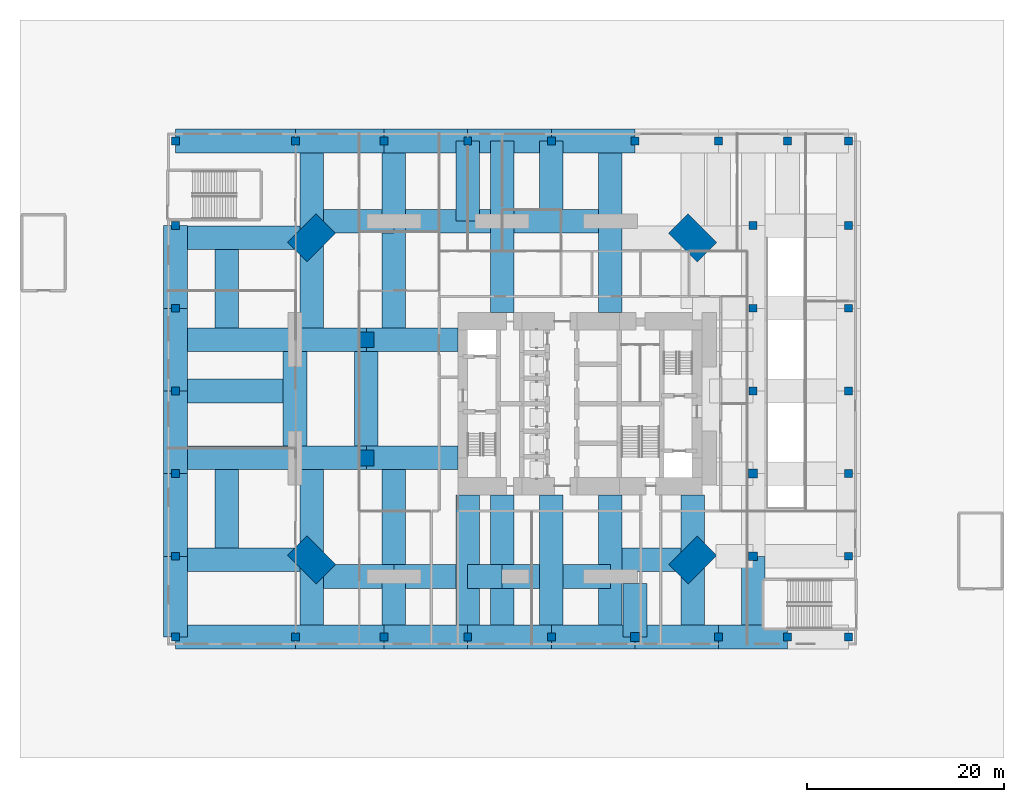
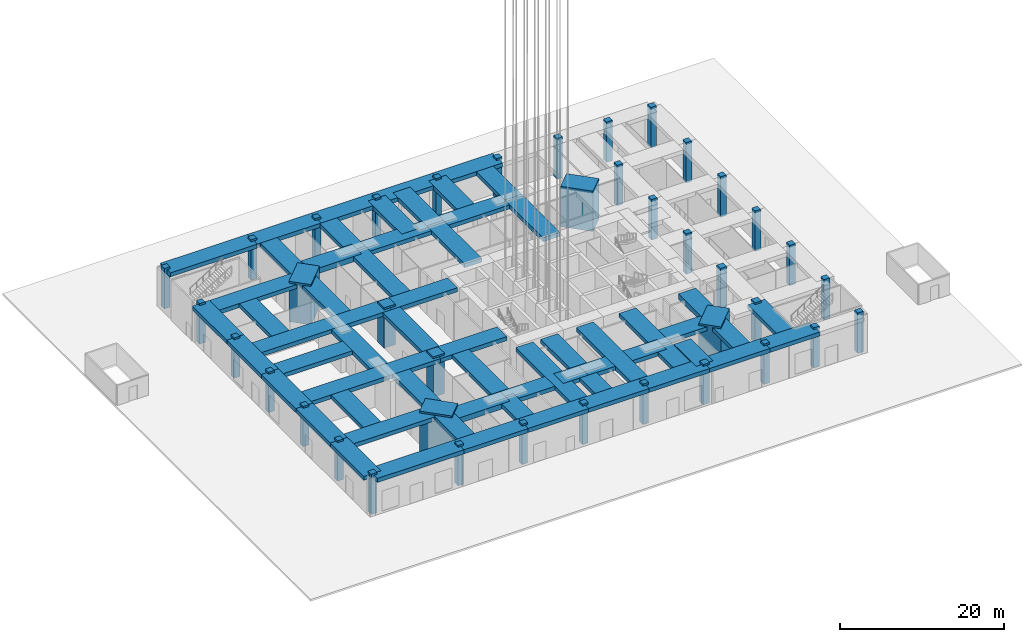
# One storey, part 1 of 17: 63 beams, 39 columns.
"""IFC4 building model written with IfcOpenShell, lengths in metres."""

from ifc_helpers import new_model, si_unit, direction, frame, origin, origin_2d, place, context, subcontext, project, spatial, rectangle, extrude, material, material_profile, profile_set, type_object, element, save


model = new_model("IFC4")

# Units and contexts
model_context = context("Model", 3, precision=1e-05, world=origin(), true_north=direction((0.0, 1.0)))
body_context = subcontext(model_context, "Body", "Model", "MODEL_VIEW")
ifc_project = project(units=[si_unit("LENGTHUNIT", "METRE"), si_unit("AREAUNIT", "SQUARE_METRE"), si_unit("VOLUMEUNIT", "CUBIC_METRE"), si_unit("PLANEANGLEUNIT", "RADIAN"), si_unit("MASSUNIT", "GRAM", prefix="KILO")], contexts=[model_context])

# Site, building, storey
site_placement = place(None, origin())
site = spatial("IfcSite", under=ifc_project, at=site_placement, CompositionType="ELEMENT")
building_placement = place(site_placement, origin())
building = spatial("IfcBuilding", under=site, at=building_placement, Name="Jalousie Tower", CompositionType="ELEMENT")
storey_placement = place(building_placement, origin())
storey = spatial("IfcBuildingStorey", under=building, at=storey_placement, Name="L00", CompositionType="ELEMENT", Elevation=0.0)

# Columns
ifc_material_1 = material(Name="Concrete f'c 120 MPa", Category="concrete")
ifc_material_profile_1 = material_profile(ifc_material_1, rectangle(XDim=1.60009765625, YDim=1.60009765625, at=origin_2d()), Name="RC 1600x1600")
ifc_profile_set_1 = profile_set([ifc_material_profile_1], Name="Concrete f'c 120 MPa")
column_type_1 = type_object("IfcColumnType", Name="RC COLUMN 1600x1600", PredefinedType="COLUMN", material=ifc_profile_set_1)
for number, where, z_axis, x_axis, name in (
    (1, (10.199951171875, 13.0, 0.0), (0.0, 0.0, 1.0), (1.0, 0.0, 0.0), "Interior column IA1 L00"),
    (2, (10.199951171875, 25.0, 0.0), (0.0, 0.0, 1.0), (1.0, 0.0, 0.0), "Interior column IA2 L00"),
):
    element("IfcColumn", number, at=place(storey_placement, frame(where, z_axis=z_axis, x_axis=x_axis)), inside=storey, type_object=column_type_1, Name=name, PredefinedType="COLUMN", context=body_context, shape_type="SweptSolid", body=[
        extrude(rectangle(XDim=1.60009765625, YDim=1.60009765625, at=origin_2d()), origin(), (0.0, 0.0, 1.0), 6.0),
    ])
ifc_material_2 = material(Name="Concrete f'c 120 MPa", Category="concrete")
ifc_material_profile_2 = material_profile(ifc_material_2, rectangle(XDim=0.800048828125, YDim=0.800048828125, at=origin_2d()), Name="RC 800x800")
ifc_profile_set_2 = profile_set([ifc_material_profile_2], Name="Concrete f'c 120 MPa")
column_type_2 = type_object("IfcColumnType", Name="RC COLUMN 800x800", PredefinedType="COLUMN", material=ifc_profile_set_2)
for number, where, z_axis, x_axis, name in (
    (3, (-9.199951171875, -5.199951171875, 0.0), (0.0, 0.0, 1.0), (1.0, 0.0, 0.0), "Podium column P01 L00"),
    (4, (3.0, -5.199951171875, 0.0), (0.0, 0.0, 1.0), (1.0, 0.0, 0.0), "Podium column P02 L00"),
    (5, (12.0, -5.199951171875, 0.0), (0.0, 0.0, 1.0), (1.0, 0.0, 0.0), "Podium column P03 L00"),
    (6, (20.5, -5.199951171875, 0.0), (0.0, 0.0, 1.0), (1.0, 0.0, 0.0), "Podium column P04 L00"),
    (7, (29.0, -5.199951171875, 0.0), (0.0, 0.0, 1.0), (1.0, 0.0, 0.0), "Podium column P05 L00"),
    (8, (46.0, -5.199951171875, 0.0), (0.0, 0.0, 1.0), (1.0, 0.0, 0.0), "Podium column P07 L00"),
    (9, (53.0, -5.199951171875, 0.0), (0.0, 0.0, 1.0), (1.0, 0.0, 0.0), "Podium column P08 L00"),
    (10, (59.199951171875, -5.199951171875, 0.0), (0.0, 0.0, 1.0), (1.0, 0.0, 0.0), "Podium column P09 L00"),
    (11, (-9.199951171875, 3.0, 0.0), (0.0, 0.0, 1.0), (1.0, 0.0, 0.0), "Podium column P10 L00"),
    (12, (59.199951171875, 3.0, 0.0), (0.0, 0.0, 1.0), (1.0, 0.0, 0.0), "Podium column P12 L00"),
    (13, (-9.199951171875, 11.39990234375, 0.0), (0.0, 0.0, 1.0), (1.0, 0.0, 0.0), "Podium column P13 L00"),
    (14, (59.199951171875, 11.39990234375, 0.0), (0.0, 0.0, 1.0), (1.0, 0.0, 0.0), "Podium column P15 L00"),
    (15, (-9.199951171875, 19.800048828125, 0.0), (0.0, 0.0, 1.0), (1.0, 0.0, 0.0), "Podium column P16 L00"),
    (16, (49.5, 19.800048828125, 0.0), (0.0, 0.0, 1.0), (1.0, 0.0, 0.0), "Podium column P17 L00"),
    (17, (59.199951171875, 19.800048828125, 0.0), (0.0, 0.0, 1.0), (1.0, 0.0, 0.0), "Podium column P18 L00"),
    (18, (-9.199951171875, 28.199951171875, 0.0), (0.0, 0.0, 1.0), (1.0, 0.0, 0.0), "Podium column P19 L00"),
    (19, (49.5, 28.199951171875, 0.0), (0.0, 0.0, 1.0), (1.0, 0.0, 0.0), "Podium column P20 L00"),
    (20, (59.199951171875, 28.199951171875, 0.0), (0.0, 0.0, 1.0), (1.0, 0.0, 0.0), "Podium column P21 L00"),
    (21, (-9.199951171875, 36.60009765625, 0.0), (0.0, 0.0, 1.0), (1.0, 0.0, 0.0), "Podium column P22 L00"),
    (22, (49.5, 36.60009765625, 0.0), (0.0, 0.0, 1.0), (1.0, 0.0, 0.0), "Podium column P23 L00"),
    (23, (59.199951171875, 36.60009765625, 0.0), (0.0, 0.0, 1.0), (1.0, 0.0, 0.0), "Podium column P24 L00"),
    (24, (-9.199951171875, 45.199951171875, 0.0), (0.0, 0.0, 1.0), (1.0, 0.0, 0.0), "Podium column P25 L00"),
    (25, (3.0, 45.199951171875, 0.0), (0.0, 0.0, 1.0), (1.0, 0.0, 0.0), "Podium column P26 L00"),
    (26, (12.0, 45.199951171875, 0.0), (0.0, 0.0, 1.0), (1.0, 0.0, 0.0), "Podium column P27 L00"),
    (27, (20.5, 45.199951171875, 0.0), (0.0, 0.0, 1.0), (1.0, 0.0, 0.0), "Podium column P28 L00"),
    (28, (29.0, 45.199951171875, 0.0), (0.0, 0.0, 1.0), (1.0, 0.0, 0.0), "Podium column P29 L00"),
    (29, (37.5, 45.199951171875, 0.0), (0.0, 0.0, 1.0), (1.0, 0.0, 0.0), "Podium column P30 L00"),
    (30, (46.0, 45.199951171875, 0.0), (0.0, 0.0, 1.0), (1.0, 0.0, 0.0), "Podium column P31 L00"),
    (31, (53.0, 45.199951171875, 0.0), (0.0, 0.0, 1.0), (1.0, 0.0, 0.0), "Podium column P32 L00"),
    (32, (59.199951171875, 45.199951171875, 0.0), (0.0, 0.0, 1.0), (1.0, 0.0, 0.0), "Podium column P33 L00"),
):
    element("IfcColumn", number, at=place(storey_placement, frame(where, z_axis=z_axis, x_axis=x_axis)), inside=storey, type_object=column_type_2, Name=name, PredefinedType="COLUMN", context=body_context, shape_type="SweptSolid", body=[
        extrude(rectangle(XDim=0.800048828125, YDim=0.800048828125, at=origin_2d()), origin(), (0.0, 0.0, 1.0), 6.0),
    ])
ifc_material_3 = material(Name="Concrete f'c 120 MPa", Category="concrete")
ifc_material_profile_3 = material_profile(ifc_material_3, rectangle(XDim=0.89990234375, YDim=0.89990234375, at=origin_2d()), Name="RC 900x900")
ifc_profile_set_3 = profile_set([ifc_material_profile_3], Name="Concrete f'c 120 MPa")
column_type_3 = type_object("IfcColumnType", Name="RC COLUMN 900x900", PredefinedType="COLUMN", material=ifc_profile_set_3)
for number, where, z_axis, x_axis, name in (
    (33, (37.5, -5.199951171875, 0.0), (0.0, 0.0, 1.0), (1.0, 0.0, 0.0), "Podium column P06 L00"),
    (34, (49.5, 3.0, 0.0), (0.0, 0.0, 1.0), (1.0, 0.0, 0.0), "Podium column P11 L00"),
    (35, (49.5, 11.39990234375, 0.0), (0.0, 0.0, 1.0), (1.0, 0.0, 0.0), "Podium column P14 L00"),
):
    element("IfcColumn", number, at=place(storey_placement, frame(where, z_axis=z_axis, x_axis=x_axis)), inside=storey, type_object=column_type_3, Name=name, PredefinedType="COLUMN", context=body_context, shape_type="SweptSolid", body=[
        extrude(rectangle(XDim=0.89990234375, YDim=0.89990234375, at=origin_2d()), origin(), (0.0, 0.0, 1.0), 6.0),
    ])
ifc_material_4 = material(Name="Concrete f'c 120 MPa", Category="concrete")
ifc_material_profile_4 = material_profile(ifc_material_4, rectangle(XDim=2.800048828125, YDim=4.10009765625, at=origin_2d()), Name="RC 2800x4100")
ifc_profile_set_4 = profile_set([ifc_material_profile_4], Name="Concrete f'c 120 MPa")
column_type_4 = type_object("IfcColumnType", Name="RC CORNER COLUMN 2800x4100", PredefinedType="COLUMN", material=ifc_profile_set_4)
for number, where, z_axis, x_axis, name in (
    (36, (4.63134765625, 2.63134765625, 0.0), (0.0, 0.0, 1.0), (0.707106781187, 0.707106781187, 0.0), "Corner column 01 L00"),
    (37, (43.36865234375, 2.63134765625, 0.0), (0.0, 0.0, 1.0), (-0.707106781187, 0.707106781187, 0.0), "Corner column 05 L00"),
    (38, (43.36865234375, 35.36865234375, 0.0), (0.0, 0.0, 1.0), (-0.707106781187, -0.707106781187, 0.0), "Corner column 08 L00"),
    (39, (4.63134765625, 35.36865234375, 0.0), (0.0, 0.0, 1.0), (0.707106781187, -0.707106781187, 0.0), "Corner column 12 L00"),
):
    element("IfcColumn", number, at=place(storey_placement, frame(where, z_axis=z_axis, x_axis=x_axis)), inside=storey, type_object=column_type_4, Name=name, PredefinedType="COLUMN", context=body_context, shape_type="SweptSolid", body=[
        extrude(rectangle(XDim=2.800048828125, YDim=4.10009765625, at=origin_2d()), origin(), (0.0, 0.0, 1.0), 6.0),
    ])

# Beams
ifc_material_5 = material(Name="Concrete f'c 40 MPa", Category="concrete")
ifc_material_profile_5 = material_profile(ifc_material_5, rectangle(XDim=2.39990234375, YDim=0.60009765625, at=origin_2d()), Name="RC 2400x600")
ifc_profile_set_5 = profile_set([ifc_material_profile_5], Name="Concrete f'c 40 MPa")
beam_type_1 = type_object("IfcBeamType", Name="RC BEAM 2400x600", PredefinedType="BEAM", material=ifc_profile_set_5)
beam_1_placement = place(storey_placement, frame((13.0, 0.949951171875, 5.419921875), z_axis=(1.0, 0.0, 0.0), x_axis=(0.0, 1.0, 0.0)))
element("IfcBeam", 40, at=beam_1_placement, inside=storey, type_object=beam_type_1, Name="Floor band beam under L01", PredefinedType="BEAM", context=body_context, shape_type="SweptSolid", body=[
    extrude(rectangle(XDim=2.39990234375, YDim=0.60009765625, at=origin_2d()), origin(), (0.0, 0.0, 1.0), 6.300048828125),
])
beam_2_placement = place(storey_placement, frame((20.5, 0.949951171875, 5.419921875), z_axis=(1.0, 0.0, 0.0), x_axis=(0.0, 1.0, 0.0)))
element("IfcBeam", 41, at=beam_2_placement, inside=storey, type_object=beam_type_1, Name="Floor band beam under L01", PredefinedType="BEAM", context=body_context, shape_type="SweptSolid", body=[
    extrude(rectangle(XDim=2.39990234375, YDim=0.60009765625, at=origin_2d()), origin(), (0.0, 0.0, 1.0), 3.5),
])
beam_3_placement = place(storey_placement, frame((24.0, 0.949951171875, 5.419921875), z_axis=(1.0, 0.0, 0.0), x_axis=(0.0, 1.0, 0.0)))
element("IfcBeam", 42, at=beam_3_placement, inside=storey, type_object=beam_type_1, Name="Floor band beam under L01", PredefinedType="BEAM", context=body_context, shape_type="SweptSolid", body=[
    extrude(rectangle(XDim=2.39990234375, YDim=0.60009765625, at=origin_2d()), origin(), (0.0, 0.0, 1.0), 3.800048828125),
])
beam_4_placement = place(storey_placement, frame((30.199951171875, 0.949951171875, 5.419921875), z_axis=(1.0, 0.0, 0.0), x_axis=(0.0, 1.0, 0.0)))
element("IfcBeam", 43, at=beam_4_placement, inside=storey, type_object=beam_type_1, Name="Floor band beam under L01", PredefinedType="BEAM", context=body_context, shape_type="SweptSolid", body=[
    extrude(rectangle(XDim=2.39990234375, YDim=0.60009765625, at=origin_2d()), origin(), (0.0, 0.0, 1.0), 4.800048828125),
])
for number, where, z_axis, x_axis, name in (
    (44, (35.0, 37.050048828125, 5.419921875), (-1.0, 0.0, 0.0), (0.0, -1.0, 0.0), "Floor band beam under L01"),
    (45, (24.0, 37.050048828125, 5.419921875), (-1.0, 0.0, 0.0), (0.0, -1.0, 0.0), "Floor band beam under L01"),
):
    element("IfcBeam", number, at=place(storey_placement, frame(where, z_axis=z_axis, x_axis=x_axis)), inside=storey, type_object=beam_type_1, Name=name, PredefinedType="BEAM", context=body_context, shape_type="SweptSolid", body=[
        extrude(rectangle(XDim=2.39990234375, YDim=0.60009765625, at=origin_2d()), origin(), (0.0, 0.0, 1.0), 11.0),
    ])
beam_5_placement = place(storey_placement, frame((2.949951171875, 25.0, 5.419921875), z_axis=(0.0, -1.0, 0.0), x_axis=(1.0, 0.0, 0.0)))
element("IfcBeam", 46, at=beam_5_placement, inside=storey, type_object=beam_type_1, Name="Floor band beam under L01", PredefinedType="BEAM", context=body_context, shape_type="SweptSolid", body=[
    extrude(rectangle(XDim=2.39990234375, YDim=0.60009765625, at=origin_2d()), origin(), (0.0, 0.0, 1.0), 12.0),
])
beam_6_placement = place(storey_placement, frame((-9.199951171875, -5.199951171875, 5.419921875), z_axis=(1.0, 0.0, 0.0), x_axis=(0.0, 1.0, 0.0)))
element("IfcBeam", 47, at=beam_6_placement, inside=storey, type_object=beam_type_1, Name="Floor band beam under L01", PredefinedType="BEAM", context=body_context, shape_type="SweptSolid", body=[
    extrude(rectangle(XDim=2.39990234375, YDim=0.60009765625, at=origin_2d()), origin(), (0.0, 0.0, 1.0), 12.199951171875),
])
beam_7_placement = place(storey_placement, frame((-9.199951171875, -5.199951171875, 5.419921875), z_axis=(0.0, 1.0, 0.0), x_axis=(-1.0, 0.0, 0.0)))
element("IfcBeam", 48, at=beam_7_placement, inside=storey, type_object=beam_type_1, Name="Floor band beam under L01", PredefinedType="BEAM", context=body_context, shape_type="SweptSolid", body=[
    extrude(rectangle(XDim=2.39990234375, YDim=0.60009765625, at=origin_2d()), origin(), (0.0, 0.0, 1.0), 8.199951171875),
])
beam_8_placement = place(storey_placement, frame((-9.199951171875, 3.0, 5.419921875), z_axis=(0.0, 1.0, 0.0), x_axis=(-1.0, 0.0, 0.0)))
element("IfcBeam", 49, at=beam_8_placement, inside=storey, type_object=beam_type_1, Name="Floor band beam under L01", PredefinedType="BEAM", context=body_context, shape_type="SweptSolid", body=[
    extrude(rectangle(XDim=2.39990234375, YDim=0.60009765625, at=origin_2d()), origin(), (0.0, 0.0, 1.0), 8.39990234375),
])
beam_9_placement = place(storey_placement, frame((-9.199951171875, 11.39990234375, 5.419921875), z_axis=(0.0, 1.0, 0.0), x_axis=(-1.0, 0.0, 0.0)))
element("IfcBeam", 50, at=beam_9_placement, inside=storey, type_object=beam_type_1, Name="Floor band beam under L01", PredefinedType="BEAM", context=body_context, shape_type="SweptSolid", body=[
    extrude(rectangle(XDim=2.39990234375, YDim=0.60009765625, at=origin_2d()), origin(), (0.0, 0.0, 1.0), 8.400146484375),
])
beam_10_placement = place(storey_placement, frame((-9.199951171875, 19.800048828125, 5.419921875), z_axis=(0.0, 1.0, 0.0), x_axis=(-1.0, 0.0, 0.0)))
element("IfcBeam", 51, at=beam_10_placement, inside=storey, type_object=beam_type_1, Name="Floor band beam under L01", PredefinedType="BEAM", context=body_context, shape_type="SweptSolid", body=[
    extrude(rectangle(XDim=2.39990234375, YDim=0.60009765625, at=origin_2d()), origin(), (0.0, 0.0, 1.0), 8.39990234375),
])
beam_11_placement = place(storey_placement, frame((-9.199951171875, 28.199951171875, 5.419921875), z_axis=(0.0, 1.0, 0.0), x_axis=(-1.0, 0.0, 0.0)))
element("IfcBeam", 52, at=beam_11_placement, inside=storey, type_object=beam_type_1, Name="Floor band beam under L01", PredefinedType="BEAM", context=body_context, shape_type="SweptSolid", body=[
    extrude(rectangle(XDim=2.39990234375, YDim=0.60009765625, at=origin_2d()), origin(), (0.0, 0.0, 1.0), 8.400146484375),
])
beam_12_placement = place(storey_placement, frame((-9.199951171875, 45.199951171875, 5.419921875), z_axis=(1.0, 0.0, 0.0), x_axis=(0.0, 1.0, 0.0)))
element("IfcBeam", 53, at=beam_12_placement, inside=storey, type_object=beam_type_1, Name="Floor band beam under L01", PredefinedType="BEAM", context=body_context, shape_type="SweptSolid", body=[
    extrude(rectangle(XDim=2.39990234375, YDim=0.60009765625, at=origin_2d()), origin(), (0.0, 0.0, 1.0), 12.199951171875),
])
for number, where, z_axis, x_axis, name in (
    (54, (2.949951171875, 13.0, 5.419921875), (1.0, 0.0, 0.0), (0.0, 1.0, 0.0), "Floor band beam under L01"),
    (55, (2.949951171875, 25.0, 5.419921875), (1.0, 0.0, 0.0), (0.0, 1.0, 0.0), "Floor band beam under L01"),
):
    element("IfcBeam", number, at=place(storey_placement, frame(where, z_axis=z_axis, x_axis=x_axis)), inside=storey, type_object=beam_type_1, Name=name, PredefinedType="BEAM", context=body_context, shape_type="SweptSolid", body=[
        extrude(rectangle(XDim=2.39990234375, YDim=0.60009765625, at=origin_2d()), origin(), (0.0, 0.0, 1.0), 7.25),
    ])
for number, where, z_axis, x_axis, name in (
    (56, (3.0, -5.199951171875, 5.419921875), (1.0, 0.0, 0.0), (0.0, 1.0, 0.0), "Floor band beam under L01"),
    (57, (3.0, 45.199951171875, 5.419921875), (1.0, 0.0, 0.0), (0.0, 1.0, 0.0), "Floor band beam under L01"),
):
    element("IfcBeam", number, at=place(storey_placement, frame(where, z_axis=z_axis, x_axis=x_axis)), inside=storey, type_object=beam_type_1, Name=name, PredefinedType="BEAM", context=body_context, shape_type="SweptSolid", body=[
        extrude(rectangle(XDim=2.39990234375, YDim=0.60009765625, at=origin_2d()), origin(), (0.0, 0.0, 1.0), 9.0),
    ])
beam_13_placement = place(storey_placement, frame((10.199951171875, 13.0, 5.419921875), z_axis=(1.0, 0.0, 0.0), x_axis=(0.0, 1.0, 0.0)))
element("IfcBeam", 58, at=beam_13_placement, inside=storey, type_object=beam_type_1, Name="Floor band beam under L01", PredefinedType="BEAM", context=body_context, shape_type="SweptSolid", body=[
    extrude(rectangle(XDim=2.39990234375, YDim=0.60009765625, at=origin_2d()), origin(), (0.0, 0.0, 1.0), 9.300048828125),
])
beam_14_placement = place(storey_placement, frame((10.199951171875, 13.0, 5.419921875), z_axis=(0.0, 1.0, 0.0), x_axis=(-1.0, 0.0, 0.0)))
element("IfcBeam", 59, at=beam_14_placement, inside=storey, type_object=beam_type_1, Name="Floor band beam under L01", PredefinedType="BEAM", context=body_context, shape_type="SweptSolid", body=[
    extrude(rectangle(XDim=2.39990234375, YDim=0.60009765625, at=origin_2d()), origin(), (0.0, 0.0, 1.0), 12.0),
])
beam_15_placement = place(storey_placement, frame((10.199951171875, 25.0, 5.419921875), z_axis=(1.0, 0.0, 0.0), x_axis=(0.0, 1.0, 0.0)))
element("IfcBeam", 60, at=beam_15_placement, inside=storey, type_object=beam_type_1, Name="Floor band beam under L01", PredefinedType="BEAM", context=body_context, shape_type="SweptSolid", body=[
    extrude(rectangle(XDim=2.39990234375, YDim=0.60009765625, at=origin_2d()), origin(), (0.0, 0.0, 1.0), 9.300048828125),
])
for number, where, z_axis, x_axis, name in (
    (61, (12.0, -5.199951171875, 5.419921875), (1.0, 0.0, 0.0), (0.0, 1.0, 0.0), "Floor band beam under L01"),
    (62, (12.0, 45.199951171875, 5.419921875), (1.0, 0.0, 0.0), (0.0, 1.0, 0.0), "Floor band beam under L01"),
    (63, (20.5, -5.199951171875, 5.419921875), (1.0, 0.0, 0.0), (0.0, 1.0, 0.0), "Floor band beam under L01"),
):
    element("IfcBeam", number, at=place(storey_placement, frame(where, z_axis=z_axis, x_axis=x_axis)), inside=storey, type_object=beam_type_1, Name=name, PredefinedType="BEAM", context=body_context, shape_type="SweptSolid", body=[
        extrude(rectangle(XDim=2.39990234375, YDim=0.60009765625, at=origin_2d()), origin(), (0.0, 0.0, 1.0), 8.5),
    ])
beam_16_placement = place(storey_placement, frame((20.5, -5.199951171875, 5.419921875), z_axis=(0.0, 1.0, 0.0), x_axis=(-1.0, 0.0, 0.0)))
element("IfcBeam", 64, at=beam_16_placement, inside=storey, type_object=beam_type_1, Name="Floor band beam under L01", PredefinedType="BEAM", context=body_context, shape_type="SweptSolid", body=[
    extrude(rectangle(XDim=2.39990234375, YDim=0.60009765625, at=origin_2d()), origin(), (0.0, 0.0, 1.0), 14.449951171875),
])
beam_17_placement = place(storey_placement, frame((20.5, 45.199951171875, 5.419921875), z_axis=(1.0, 0.0, 0.0), x_axis=(0.0, 1.0, 0.0)))
element("IfcBeam", 65, at=beam_17_placement, inside=storey, type_object=beam_type_1, Name="Floor band beam under L01", PredefinedType="BEAM", context=body_context, shape_type="SweptSolid", body=[
    extrude(rectangle(XDim=2.39990234375, YDim=0.60009765625, at=origin_2d()), origin(), (0.0, 0.0, 1.0), 8.5),
])
beam_18_placement = place(storey_placement, frame((24.0, 0.949951171875, 5.419921875), z_axis=(0.0, 1.0, 0.0), x_axis=(-1.0, 0.0, 0.0)))
element("IfcBeam", 66, at=beam_18_placement, inside=storey, type_object=beam_type_1, Name="Floor band beam under L01", PredefinedType="BEAM", context=body_context, shape_type="SweptSolid", body=[
    extrude(rectangle(XDim=2.39990234375, YDim=0.60009765625, at=origin_2d()), origin(), (0.0, 0.0, 1.0), 8.300048828125),
])
beam_19_placement = place(storey_placement, frame((24.0, 37.050048828125, 5.419921875), z_axis=(0.0, -1.0, 0.0), x_axis=(1.0, 0.0, 0.0)))
element("IfcBeam", 67, at=beam_19_placement, inside=storey, type_object=beam_type_1, Name="Floor band beam under L01", PredefinedType="BEAM", context=body_context, shape_type="SweptSolid", body=[
    extrude(rectangle(XDim=2.39990234375, YDim=0.60009765625, at=origin_2d()), origin(), (0.0, 0.0, 1.0), 9.300048828125),
])
beam_20_placement = place(storey_placement, frame((29.0, -5.199951171875, 5.419921875), z_axis=(1.0, 0.0, 0.0), x_axis=(0.0, 1.0, 0.0)))
element("IfcBeam", 68, at=beam_20_placement, inside=storey, type_object=beam_type_1, Name="Floor band beam under L01", PredefinedType="BEAM", context=body_context, shape_type="SweptSolid", body=[
    extrude(rectangle(XDim=2.39990234375, YDim=0.60009765625, at=origin_2d()), origin(), (0.0, 0.0, 1.0), 8.5),
])
beam_21_placement = place(storey_placement, frame((29.0, -5.199951171875, 5.419921875), z_axis=(0.0, 1.0, 0.0), x_axis=(-1.0, 0.0, 0.0)))
element("IfcBeam", 69, at=beam_21_placement, inside=storey, type_object=beam_type_1, Name="Floor band beam under L01", PredefinedType="BEAM", context=body_context, shape_type="SweptSolid", body=[
    extrude(rectangle(XDim=2.39990234375, YDim=0.60009765625, at=origin_2d()), origin(), (0.0, 0.0, 1.0), 14.449951171875),
])
beam_22_placement = place(storey_placement, frame((29.0, 45.199951171875, 5.419921875), z_axis=(1.0, 0.0, 0.0), x_axis=(0.0, 1.0, 0.0)))
element("IfcBeam", 70, at=beam_22_placement, inside=storey, type_object=beam_type_1, Name="Floor band beam under L01", PredefinedType="BEAM", context=body_context, shape_type="SweptSolid", body=[
    extrude(rectangle(XDim=2.39990234375, YDim=0.60009765625, at=origin_2d()), origin(), (0.0, 0.0, 1.0), 8.5),
])
beam_23_placement = place(storey_placement, frame((35.0, 0.949951171875, 5.419921875), z_axis=(0.0, 1.0, 0.0), x_axis=(-1.0, 0.0, 0.0)))
element("IfcBeam", 71, at=beam_23_placement, inside=storey, type_object=beam_type_1, Name="Floor band beam under L01", PredefinedType="BEAM", context=body_context, shape_type="SweptSolid", body=[
    extrude(rectangle(XDim=2.39990234375, YDim=0.60009765625, at=origin_2d()), origin(), (0.0, 0.0, 1.0), 8.300048828125),
])
beam_24_placement = place(storey_placement, frame((35.0, 37.050048828125, 5.419921875), z_axis=(0.0, -1.0, 0.0), x_axis=(1.0, 0.0, 0.0)))
element("IfcBeam", 72, at=beam_24_placement, inside=storey, type_object=beam_type_1, Name="Floor band beam under L01", PredefinedType="BEAM", context=body_context, shape_type="SweptSolid", body=[
    extrude(rectangle(XDim=2.39990234375, YDim=0.60009765625, at=origin_2d()), origin(), (0.0, 0.0, 1.0), 9.300048828125),
])
beam_25_placement = place(storey_placement, frame((37.5, -5.199951171875, 5.419921875), z_axis=(1.0, 0.0, 0.0), x_axis=(0.0, 1.0, 0.0)))
element("IfcBeam", 73, at=beam_25_placement, inside=storey, type_object=beam_type_1, Name="Floor band beam under L01", PredefinedType="BEAM", context=body_context, shape_type="SweptSolid", body=[
    extrude(rectangle(XDim=2.39990234375, YDim=0.60009765625, at=origin_2d()), origin(), (0.0, 0.0, 1.0), 8.5),
])
beam_26_placement = place(storey_placement, frame((37.5, -5.199951171875, 5.419921875), z_axis=(0.0, 1.0, 0.0), x_axis=(-1.0, 0.0, 0.0)))
element("IfcBeam", 74, at=beam_26_placement, inside=storey, type_object=beam_type_1, Name="Floor band beam under L01", PredefinedType="BEAM", context=body_context, shape_type="SweptSolid", body=[
    extrude(rectangle(XDim=2.39990234375, YDim=0.60009765625, at=origin_2d()), origin(), (0.0, 0.0, 1.0), 5.425048828125),
])
beam_27_placement = place(storey_placement, frame((46.0, -5.199951171875, 5.419921875), z_axis=(1.0, 0.0, 0.0), x_axis=(0.0, 1.0, 0.0)))
element("IfcBeam", 75, at=beam_27_placement, inside=storey, type_object=beam_type_1, Name="Floor band beam under L01", PredefinedType="BEAM", context=body_context, shape_type="SweptSolid", body=[
    extrude(rectangle(XDim=2.39990234375, YDim=0.60009765625, at=origin_2d()), origin(), (0.0, 0.0, 1.0), 7.0),
])
beam_28_placement = place(storey_placement, frame((-9.199951171875, 19.800048828125, 5.419921875), z_axis=(1.0, 0.0, 0.0), x_axis=(0.0, 1.0, 0.0)))
element("IfcBeam", 76, at=beam_28_placement, inside=storey, type_object=beam_type_1, Name="Floor band beam under L01", PredefinedType="BEAM", context=body_context, shape_type="SweptSolid", body=[
    extrude(rectangle(XDim=2.39990234375, YDim=0.60009765625, at=origin_2d()), origin(), (0.0, 0.0, 1.0), 12.14990234375),
])
for number, where, z_axis, x_axis, name in (
    (77, (2.949951171875, 13.0, 5.419921875), (-1.0, 0.0, 0.0), (0.0, -1.0, 0.0), "Floor band beam under L01"),
    (78, (2.949951171875, 25.0, 5.419921875), (-1.0, 0.0, 0.0), (0.0, -1.0, 0.0), "Floor band beam under L01"),
):
    element("IfcBeam", number, at=place(storey_placement, frame(where, z_axis=z_axis, x_axis=x_axis)), inside=storey, type_object=beam_type_1, Name=name, PredefinedType="BEAM", context=body_context, shape_type="SweptSolid", body=[
        extrude(rectangle(XDim=2.39990234375, YDim=0.60009765625, at=origin_2d()), origin(), (0.0, 0.0, 1.0), 10.949951171875),
    ])
beam_29_placement = place(storey_placement, frame((4.63134765625, 2.63134765625, 5.419921875), z_axis=(-1.0, 0.0, 0.0), x_axis=(0.0, -1.0, 0.0)))
element("IfcBeam", 79, at=beam_29_placement, inside=storey, type_object=beam_type_1, Name="Floor band beam under L01", PredefinedType="BEAM", context=body_context, shape_type="SweptSolid", body=[
    extrude(rectangle(XDim=2.39990234375, YDim=0.60009765625, at=origin_2d()), origin(), (0.0, 0.0, 1.0), 12.63134765625),
])
beam_30_placement = place(storey_placement, frame((4.63134765625, 2.63134765625, 5.419921875), z_axis=(0.0, 1.0, 0.0), x_axis=(-1.0, 0.0, 0.0)))
element("IfcBeam", 80, at=beam_30_placement, inside=storey, type_object=beam_type_1, Name="Floor band beam under L01", PredefinedType="BEAM", context=body_context, shape_type="SweptSolid", body=[
    extrude(rectangle(XDim=2.39990234375, YDim=0.60009765625, at=origin_2d()), origin(), (0.0, 0.0, 1.0), 9.168701171875),
])
beam_31_placement = place(storey_placement, frame((4.63134765625, 2.63134765625, 5.419921875), z_axis=(0.0, -1.0, 0.0), x_axis=(1.0, 0.0, 0.0)))
element("IfcBeam", 81, at=beam_31_placement, inside=storey, type_object=beam_type_1, Name="Floor band beam under L01", PredefinedType="BEAM", context=body_context, shape_type="SweptSolid", body=[
    extrude(rectangle(XDim=2.39990234375, YDim=0.60009765625, at=origin_2d()), origin(), (0.0, 0.0, 1.0), 6.63134765625),
])
beam_32_placement = place(storey_placement, frame((4.63134765625, 35.36865234375, 5.419921875), z_axis=(-1.0, 0.0, 0.0), x_axis=(0.0, -1.0, 0.0)))
element("IfcBeam", 82, at=beam_32_placement, inside=storey, type_object=beam_type_1, Name="Floor band beam under L01", PredefinedType="BEAM", context=body_context, shape_type="SweptSolid", body=[
    extrude(rectangle(XDim=2.39990234375, YDim=0.60009765625, at=origin_2d()), origin(), (0.0, 0.0, 1.0), 12.63134765625),
])
beam_33_placement = place(storey_placement, frame((4.63134765625, 35.36865234375, 5.419921875), z_axis=(0.0, 1.0, 0.0), x_axis=(-1.0, 0.0, 0.0)))
element("IfcBeam", 83, at=beam_33_placement, inside=storey, type_object=beam_type_1, Name="Floor band beam under L01", PredefinedType="BEAM", context=body_context, shape_type="SweptSolid", body=[
    extrude(rectangle(XDim=2.39990234375, YDim=0.60009765625, at=origin_2d()), origin(), (0.0, 0.0, 1.0), 8.63134765625),
])
beam_34_placement = place(storey_placement, frame((4.63134765625, 35.36865234375, 5.419921875), z_axis=(0.0, -1.0, 0.0), x_axis=(1.0, 0.0, 0.0)))
element("IfcBeam", 84, at=beam_34_placement, inside=storey, type_object=beam_type_1, Name="Floor band beam under L01", PredefinedType="BEAM", context=body_context, shape_type="SweptSolid", body=[
    extrude(rectangle(XDim=2.39990234375, YDim=0.60009765625, at=origin_2d()), origin(), (0.0, 0.0, 1.0), 9.168701171875),
])
beam_35_placement = place(storey_placement, frame((13.0, 0.949951171875, 5.419921875), z_axis=(0.0, 1.0, 0.0), x_axis=(-1.0, 0.0, 0.0)))
element("IfcBeam", 85, at=beam_35_placement, inside=storey, type_object=beam_type_1, Name="Floor band beam under L01", PredefinedType="BEAM", context=body_context, shape_type="SweptSolid", body=[
    extrude(rectangle(XDim=2.39990234375, YDim=0.60009765625, at=origin_2d()), origin(), (0.0, 0.0, 1.0), 10.85009765625),
])
beam_36_placement = place(storey_placement, frame((13.0, 0.949951171875, 5.419921875), z_axis=(0.0, -1.0, 0.0), x_axis=(1.0, 0.0, 0.0)))
element("IfcBeam", 86, at=beam_36_placement, inside=storey, type_object=beam_type_1, Name="Floor band beam under L01", PredefinedType="BEAM", context=body_context, shape_type="SweptSolid", body=[
    extrude(rectangle(XDim=2.39990234375, YDim=0.60009765625, at=origin_2d()), origin(), (0.0, 0.0, 1.0), 4.949951171875),
])
beam_37_placement = place(storey_placement, frame((13.0, 37.050048828125, 5.419921875), z_axis=(0.0, 1.0, 0.0), x_axis=(-1.0, 0.0, 0.0)))
element("IfcBeam", 87, at=beam_37_placement, inside=storey, type_object=beam_type_1, Name="Floor band beam under L01", PredefinedType="BEAM", context=body_context, shape_type="SweptSolid", body=[
    extrude(rectangle(XDim=2.39990234375, YDim=0.60009765625, at=origin_2d()), origin(), (0.0, 0.0, 1.0), 6.949951171875),
])
beam_38_placement = place(storey_placement, frame((13.0, 37.050048828125, 5.419921875), z_axis=(0.0, -1.0, 0.0), x_axis=(1.0, 0.0, 0.0)))
element("IfcBeam", 88, at=beam_38_placement, inside=storey, type_object=beam_type_1, Name="Floor band beam under L01", PredefinedType="BEAM", context=body_context, shape_type="SweptSolid", body=[
    extrude(rectangle(XDim=2.39990234375, YDim=0.60009765625, at=origin_2d()), origin(), (0.0, 0.0, 1.0), 10.85009765625),
])
beam_39_placement = place(storey_placement, frame((20.5, 45.199951171875, 5.419921875), z_axis=(0.0, -1.0, 0.0), x_axis=(1.0, 0.0, 0.0)))
element("IfcBeam", 89, at=beam_39_placement, inside=storey, type_object=beam_type_1, Name="Floor band beam under L01", PredefinedType="BEAM", context=body_context, shape_type="SweptSolid", body=[
    extrude(rectangle(XDim=2.39990234375, YDim=0.60009765625, at=origin_2d()), origin(), (0.0, 0.0, 1.0), 8.14990234375),
])
beam_40_placement = place(storey_placement, frame((24.0, 0.949951171875, 5.419921875), z_axis=(0.0, -1.0, 0.0), x_axis=(1.0, 0.0, 0.0)))
element("IfcBeam", 90, at=beam_40_placement, inside=storey, type_object=beam_type_1, Name="Floor band beam under L01", PredefinedType="BEAM", context=body_context, shape_type="SweptSolid", body=[
    extrude(rectangle(XDim=2.39990234375, YDim=0.60009765625, at=origin_2d()), origin(), (0.0, 0.0, 1.0), 4.949951171875),
])
beam_41_placement = place(storey_placement, frame((24.0, 37.050048828125, 5.419921875), z_axis=(0.0, 1.0, 0.0), x_axis=(-1.0, 0.0, 0.0)))
element("IfcBeam", 91, at=beam_41_placement, inside=storey, type_object=beam_type_1, Name="Floor band beam under L01", PredefinedType="BEAM", context=body_context, shape_type="SweptSolid", body=[
    extrude(rectangle(XDim=2.39990234375, YDim=0.60009765625, at=origin_2d()), origin(), (0.0, 0.0, 1.0), 8.14990234375),
])
beam_42_placement = place(storey_placement, frame((29.0, 45.199951171875, 5.419921875), z_axis=(0.0, -1.0, 0.0), x_axis=(1.0, 0.0, 0.0)))
element("IfcBeam", 92, at=beam_42_placement, inside=storey, type_object=beam_type_1, Name="Floor band beam under L01", PredefinedType="BEAM", context=body_context, shape_type="SweptSolid", body=[
    extrude(rectangle(XDim=2.39990234375, YDim=0.60009765625, at=origin_2d()), origin(), (0.0, 0.0, 1.0), 6.949951171875),
])
beam_43_placement = place(storey_placement, frame((35.0, 0.949951171875, 5.419921875), z_axis=(0.0, -1.0, 0.0), x_axis=(1.0, 0.0, 0.0)))
element("IfcBeam", 93, at=beam_43_placement, inside=storey, type_object=beam_type_1, Name="Floor band beam under L01", PredefinedType="BEAM", context=body_context, shape_type="SweptSolid", body=[
    extrude(rectangle(XDim=2.39990234375, YDim=0.60009765625, at=origin_2d()), origin(), (0.0, 0.0, 1.0), 4.949951171875),
])
beam_44_placement = place(storey_placement, frame((35.0, 37.050048828125, 5.419921875), z_axis=(0.0, 1.0, 0.0), x_axis=(-1.0, 0.0, 0.0)))
element("IfcBeam", 94, at=beam_44_placement, inside=storey, type_object=beam_type_1, Name="Floor band beam under L01", PredefinedType="BEAM", context=body_context, shape_type="SweptSolid", body=[
    extrude(rectangle(XDim=2.39990234375, YDim=0.60009765625, at=origin_2d()), origin(), (0.0, 0.0, 1.0), 6.949951171875),
])
beam_45_placement = place(storey_placement, frame((43.36865234375, 2.63134765625, 5.419921875), z_axis=(-1.0, 0.0, 0.0), x_axis=(0.0, -1.0, 0.0)))
element("IfcBeam", 95, at=beam_45_placement, inside=storey, type_object=beam_type_1, Name="Floor band beam under L01", PredefinedType="BEAM", context=body_context, shape_type="SweptSolid", body=[
    extrude(rectangle(XDim=2.39990234375, YDim=0.60009765625, at=origin_2d()), origin(), (0.0, 0.0, 1.0), 7.168701171875),
])
beam_46_placement = place(storey_placement, frame((43.36865234375, 2.63134765625, 5.419921875), z_axis=(0.0, -1.0, 0.0), x_axis=(1.0, 0.0, 0.0)))
element("IfcBeam", 96, at=beam_46_placement, inside=storey, type_object=beam_type_1, Name="Floor band beam under L01", PredefinedType="BEAM", context=body_context, shape_type="SweptSolid", body=[
    extrude(rectangle(XDim=2.39990234375, YDim=0.60009765625, at=origin_2d()), origin(), (0.0, 0.0, 1.0), 6.63134765625),
])
beam_47_placement = place(storey_placement, frame((49.5, 3.0, 5.419921875), z_axis=(0.0, -1.0, 0.0), x_axis=(1.0, 0.0, 0.0)))
element("IfcBeam", 97, at=beam_47_placement, inside=storey, type_object=beam_type_1, Name="Floor band beam under L01", PredefinedType="BEAM", context=body_context, shape_type="SweptSolid", body=[
    extrude(rectangle(XDim=2.39990234375, YDim=0.60009765625, at=origin_2d()), origin(), (0.0, 0.0, 1.0), 7.0),
])
for number, where, z_axis, x_axis, name in (
    (98, (-4.0, 3.831298828125, 5.419921875), (0.0, 1.0, 0.0), (-1.0, 0.0, 0.0), "Floor band beam under L01"),
    (99, (-4.0, 26.199951171875, 5.419921875), (0.0, 1.0, 0.0), (-1.0, 0.0, 0.0), "Floor band beam under L01"),
):
    element("IfcBeam", number, at=place(storey_placement, frame(where, z_axis=z_axis, x_axis=x_axis)), inside=storey, type_object=beam_type_1, Name=name, PredefinedType="BEAM", context=body_context, shape_type="SweptSolid", body=[
        extrude(rectangle(XDim=2.39990234375, YDim=0.60009765625, at=origin_2d()), origin(), (0.0, 0.0, 1.0), 7.96875),
    ])
ifc_material_6 = material(Name="Concrete f'c 40 MPa", Category="concrete")
ifc_material_profile_6 = material_profile(ifc_material_6, rectangle(XDim=2.39990234375, YDim=0.800048828125, at=origin_2d()), Name="RC 2400x800")
ifc_profile_set_6 = profile_set([ifc_material_profile_6], Name="Concrete f'c 40 MPa")
beam_type_2 = type_object("IfcBeamType", Name="RC BEAM 2400x800", PredefinedType="BEAM", material=ifc_profile_set_6)
beam_48_placement = place(storey_placement, frame((43.36865234375, 2.63134765625, 5.320068359375), z_axis=(0.0, 1.0, 0.0), x_axis=(-1.0, 0.0, 0.0)))
element("IfcBeam", 100, at=beam_48_placement, inside=storey, type_object=beam_type_2, Name="Floor band beam under L01", PredefinedType="BEAM", context=body_context, shape_type="SweptSolid", body=[
    extrude(rectangle(XDim=2.39990234375, YDim=0.800048828125, at=origin_2d()), origin(), (0.0, 0.0, 1.0), 6.61865234375),
])
for number, where, z_axis, x_axis, name in (
    (101, (13.0, 0.949951171875, 5.320068359375), (-1.0, 0.0, 0.0), (0.0, -1.0, 0.0), "Floor band beam under L01"),
    (102, (13.0, 37.050048828125, 5.320068359375), (-1.0, 0.0, 0.0), (0.0, -1.0, 0.0), "Floor band beam under L01"),
):
    element("IfcBeam", number, at=place(storey_placement, frame(where, z_axis=z_axis, x_axis=x_axis)), inside=storey, type_object=beam_type_2, Name=name, PredefinedType="BEAM", context=body_context, shape_type="SweptSolid", body=[
        extrude(rectangle(XDim=2.39990234375, YDim=0.800048828125, at=origin_2d()), origin(), (0.0, 0.0, 1.0), 7.15087890625),
    ])

save(model, "model.ifc")
